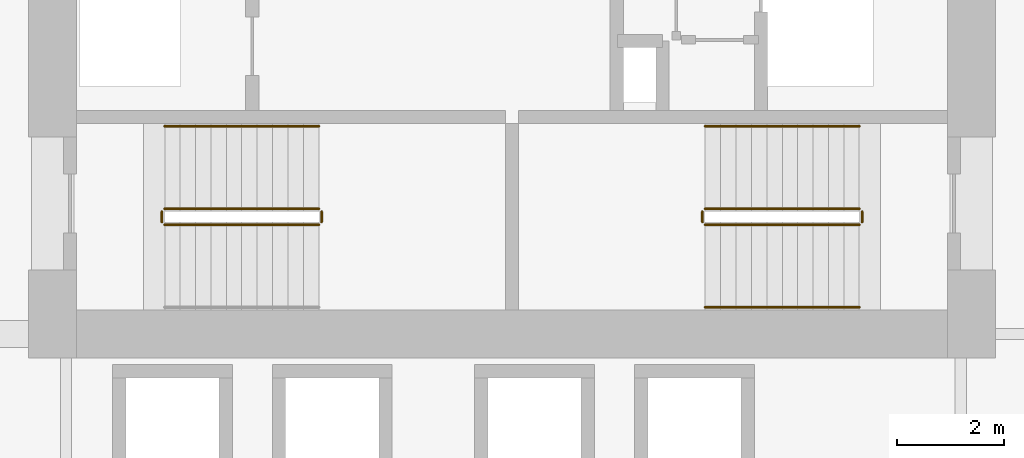
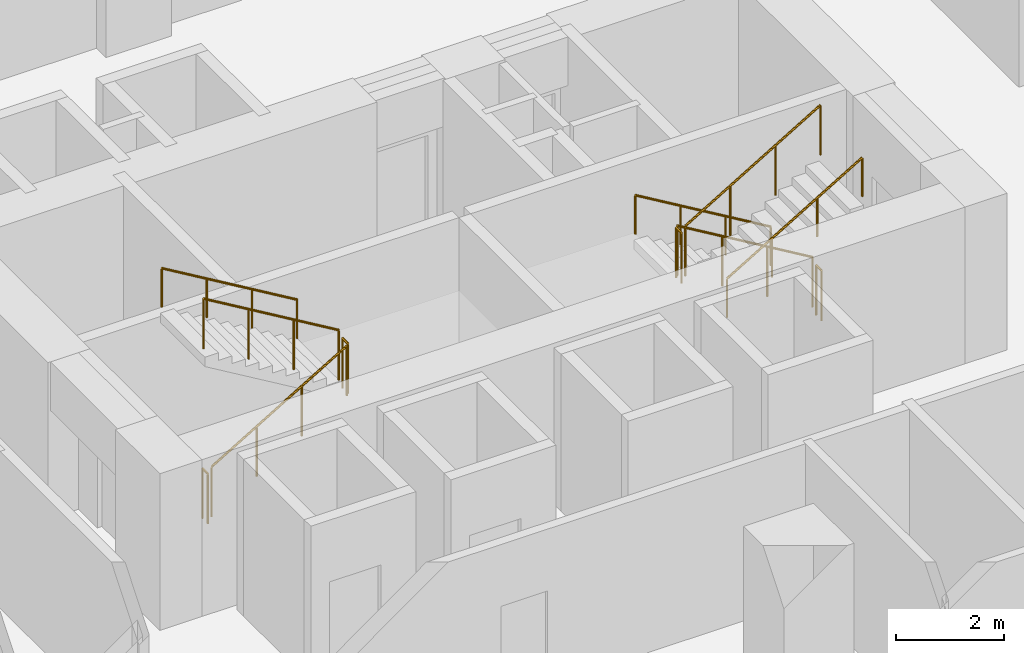
# One storey, part 18 of 20: 11 railings.
"""IFC4 building model written with IfcOpenShell, lengths in metres."""

import ifcopenshell
import ifcopenshell.guid

model = None  # the IFC model being written
_history = None  # IfcOwnerHistory: only IFC2X3 demands one
_inside = {}  # id of a spatial element -> (the spatial element, [elements in it])
_under = {}  # id of a project, library or spatial element -> (it, [spatial elements below it])
_declared = {}  # id of a project -> (the project, [libraries it declares])
_typed = {}  # id of a type object -> (the type object, [elements of that type])
_made_of = {}  # id of a material, layer set ... -> (it, [elements and type objects made of it])


def new_model(schema):
    """Start an empty IFC model of exactly this schema.

    Asked for "IFC4X3", IfcOpenShell would pick the latest addendum, in which some entities
    have other attributes; the version numbers below select the first issue.
    IFC2X3 requires an IfcOwnerHistory on every rooted entity: one is made here for all.
    """
    global model, _history
    if schema == "IFC4X3":
        model = ifcopenshell.file(schema_version=(4, 3, 0, 0))
    else:
        model = ifcopenshell.file(schema=schema)
    _inside.clear()
    _under.clear()
    _declared.clear()
    _typed.clear()
    _made_of.clear()
    _history = None
    if model.schema == "IFC2X3":
        org = make("IfcOrganization", Name="unknown")
        user = make(
            "IfcPersonAndOrganization",
            ThePerson=make("IfcPerson", FamilyName="unknown"),
            TheOrganization=org,
        )
        app = make(
            "IfcApplication",
            ApplicationDeveloper=org,
            Version="unknown",
            ApplicationFullName="unknown",
            ApplicationIdentifier="unknown",
        )
        _history = make(
            "IfcOwnerHistory",
            OwningUser=user,
            OwningApplication=app,
            ChangeAction="ADDED",
            CreationDate=0,
        )
    return model


def make(cls, **values):
    """One entity of the class cls with the attributes given. An attribute that is None is left unset."""
    return model.create_entity(
        cls, **{name: value for name, value in values.items() if value is not None}
    )


def rooted(cls, **values):
    """An entity with a GlobalId (a new one), such as an element, a storey or a relation."""
    return make(cls, GlobalId=ifcopenshell.guid.new(), OwnerHistory=_history, **values)


def si_unit(unit_type, name, prefix=None):
    """IfcSIUnit, for example si_unit("LENGTHUNIT", "METRE", prefix="MILLI")."""
    return make("IfcSIUnit", UnitType=unit_type, Prefix=prefix, Name=name)


def assignment(units):
    """IfcUnitAssignment: the units of a project."""
    return None if units is None else make("IfcUnitAssignment", Units=units)


def point(xyz):
    """IfcCartesianPoint."""
    return None if xyz is None else make("IfcCartesianPoint", Coordinates=xyz)


def direction(xyz):
    """IfcDirection."""
    return None if xyz is None else make("IfcDirection", DirectionRatios=xyz)


def frame(location, z_axis=None, x_axis=None):
    """IfcAxis2Placement3D, a coordinate frame: its origin and axes. An axis left out is left unset."""
    return make(
        "IfcAxis2Placement3D",
        Location=point(location),
        Axis=direction(z_axis),
        RefDirection=direction(x_axis),
    )


def frame_2d(location, x_axis=None):
    """IfcAxis2Placement2D, a coordinate frame in the plane: its origin and x axis."""
    return make(
        "IfcAxis2Placement2D", Location=point(location), RefDirection=direction(x_axis)
    )


def origin():
    """The frame at (0, 0, 0) with its axes left unset."""
    return frame((0.0, 0.0, 0.0))


def origin_2d():
    """The frame at (0, 0) in the plane with its x axis left unset."""
    return frame_2d((0.0, 0.0))


def place(relative_to, where):
    """IfcLocalPlacement: puts the frame where relative to a parent placement (None: the world)."""
    return make(
        "IfcLocalPlacement", PlacementRelTo=relative_to, RelativePlacement=where
    )


def context(
    kind, dimensions, precision=None, world=None, true_north=None, identifier=None
):
    """IfcGeometricRepresentationContext, for example the 3D "Model" context."""
    return make(
        "IfcGeometricRepresentationContext",
        ContextIdentifier=identifier,
        ContextType=kind,
        CoordinateSpaceDimension=dimensions,
        Precision=precision,
        WorldCoordinateSystem=world,
        TrueNorth=true_north,
    )


def subcontext(parent, identifier, kind, view, scale=None):
    """IfcGeometricRepresentationSubContext, for example "Body" below "Model"."""
    return make(
        "IfcGeometricRepresentationSubContext",
        ContextIdentifier=identifier,
        ContextType=kind,
        ParentContext=parent,
        TargetScale=scale,
        TargetView=view,
    )


def project(units=None, contexts=None):
    """IfcProject with its units and contexts."""
    return rooted(
        "IfcProject",
        Name="project",
        RepresentationContexts=contexts,
        UnitsInContext=assignment(units),
    )


def spatial(cls, under=None, at=None, **own):
    """A site, building, storey or space (cls), placed at a placement, below another one or the project."""
    s = rooted(cls, ObjectPlacement=at, **own)
    if under is not None:
        _under.setdefault(under.id(), (under, []))[1].append(s)
    return s


def profile(cls, at=None, kind="AREA", **sizes):
    """A parametric profile (cls). Its sizes go by their IFC names, for example OverallWidth=200.0."""
    return make(cls, ProfileType=kind, Position=at, **sizes)


def circle(**sizes):
    """IfcCircleProfileDef."""
    return profile("IfcCircleProfileDef", **sizes)


def extrude(swept, where, along, depth):
    """IfcExtrudedAreaSolid: the profile swept, set in the frame where, extruded along a direction by depth."""
    return make(
        "IfcExtrudedAreaSolid",
        SweptArea=swept,
        Position=where,
        ExtrudedDirection=direction(along),
        Depth=depth,
    )


def shape(context_of_items, identifier, shape_type, items):
    """IfcShapeRepresentation: the items that make up one representation, for example the "Body"."""
    return make(
        "IfcShapeRepresentation",
        ContextOfItems=context_of_items,
        RepresentationIdentifier=identifier,
        RepresentationType=shape_type,
        Items=items,
    )


def material(Name=None, Category=None):
    """IfcMaterial."""
    return make("IfcMaterial", Name=Name, Category=Category)


def made_of(thing, what):
    """Note that an element or type object is made of a material, layer set ...; save() writes the relation."""
    if what is not None:
        _made_of.setdefault(what.id(), (what, []))[1].append(thing)
    return thing


def type_object(cls, material=None, **own):
    """A type object (cls), such as IfcWallType, which elements share."""
    return made_of(rooted(cls, **own), material)


def element(
    cls,
    number,
    at=None,
    inside=None,
    cuts=None,
    type_object=None,
    material=None,
    context=None,
    identifier="Body",
    shape_type=None,
    held_by="IfcProductDefinitionShape",
    body=None,
    shapes=None,
    **own,
):
    """One element of the class cls, such as IfcWall. Its Tag is "e" and its number.

    at: its placement. inside: the storey or other place that contains it. cuts: it is an
    opening in that element (IfcRelVoidsElement). A single representation is given by context,
    identifier, shape_type and body (its items); several are given by shapes. held_by: the class
    of the entity that holds the representations. save() writes the other relations.
    """
    e = rooted(cls, Tag="e%d" % number, ObjectPlacement=at, **own)
    if body is not None:
        shapes = [shape(context, identifier, shape_type, body)]
    if shapes is not None:
        e.Representation = make(held_by, Representations=shapes)
    if inside is not None:
        _inside.setdefault(inside.id(), (inside, []))[1].append(e)
    if cuts is not None:
        rooted(
            "IfcRelVoidsElement", RelatingBuildingElement=cuts, RelatedOpeningElement=e
        )
    if type_object is not None:
        _typed.setdefault(type_object.id(), (type_object, []))[1].append(e)
    return made_of(e, material)


def aggregate(whole, parts):
    """IfcRelAggregates: a whole, such as a stair, and the parts it consists of."""
    return rooted("IfcRelAggregates", RelatingObject=whole, RelatedObjects=parts)


def save(model, path):
    """Write the relations noted so far, then the file.

    IfcRelAggregates (storeys below a building ...), IfcRelContainedInSpatialStructure (elements
    in a storey), IfcRelDefinesByType, IfcRelAssociatesMaterial and IfcRelDeclares: one each for
    every whole, place, type object, material and project.
    """
    for whole, parts in _under.values():
        aggregate(whole, parts)
    for where, things in _inside.values():
        rooted(
            "IfcRelContainedInSpatialStructure",
            RelatedElements=things,
            RelatingStructure=where,
        )
    for kind, things in _typed.values():
        rooted("IfcRelDefinesByType", RelatedObjects=things, RelatingType=kind)
    for what, things in _made_of.values():
        rooted("IfcRelAssociatesMaterial", RelatedObjects=things, RelatingMaterial=what)
    for by, libraries in _declared.values():
        rooted("IfcRelDeclares", RelatingContext=by, RelatedDefinitions=libraries)
    model.write(path)


model = new_model("IFC4")

# Units and contexts
model_context = context("Model", 3, precision=1e-05, world=origin(), true_north=direction((0.0, 1.0)))
body_context = subcontext(model_context, "Body", "Model", "MODEL_VIEW")
ifc_project = project(units=[si_unit("LENGTHUNIT", "METRE"), si_unit("AREAUNIT", "SQUARE_METRE"), si_unit("VOLUMEUNIT", "CUBIC_METRE"), si_unit("PLANEANGLEUNIT", "RADIAN"), si_unit("MASSUNIT", "GRAM", prefix="KILO")], contexts=[model_context])

# Site, building, storey
site_placement = place(None, origin())
site = spatial("IfcSite", under=ifc_project, at=site_placement, CompositionType="ELEMENT")
building_placement = place(site_placement, origin())
building = spatial("IfcBuilding", under=site, at=building_placement, Name="Koriwani Terraces Tower", CompositionType="ELEMENT")
storey_placement = place(building_placement, frame((0.0, 0.0, 73.800048828125)))
storey = spatial("IfcBuildingStorey", under=building, at=storey_placement, Name="L17", CompositionType="ELEMENT", Elevation=73.800048828125)

# Railings
ifc_material = material(Name="Steel ASTM A572 Grade 50", Category="steel")
railing_type_1 = type_object("IfcRailingType", Name="GUARD_STAIR_WELL_1120", PredefinedType="GUARDRAIL", material=ifc_material)
railing_1_placement = place(storey_placement, frame((43.85009765625, 18.85009765625, 0.172607421875)))
element("IfcRailing", 1, at=railing_1_placement, inside=storey, type_object=railing_type_1, Name="L17 ST-E1 stair guard 1", PredefinedType="GUARDRAIL", context=body_context, shape_type="SweptSolid", body=[
    extrude(circle(Radius=0.02392578125, at=origin_2d()), frame((0.0, 0.0, 1.1259765625), z_axis=(0.859141464434, 0.0, 0.511738159696), x_axis=(0.0, 1.0, 0.0)), (0.0, 0.0, 1.0), 3.375244140625),
    extrude(circle(Radius=0.02099609375, at=origin_2d()), origin(), (0.0, 0.0, 1.0), 1.101806640625),
    extrude(circle(Radius=0.02099609375, at=origin_2d()), frame((0.966552734375, 0.0, 0.57568359375)), (0.0, 0.0, 1.0), 1.101806640625),
    extrude(circle(Radius=0.02099609375, at=origin_2d()), frame((1.933349609375, 0.0, 1.151611328125)), (0.0, 0.0, 1.0), 1.101806640625),
    extrude(circle(Radius=0.02099609375, at=origin_2d()), frame((2.89990234375, 0.0, 1.727294921875)), (0.0, 0.0, 1.0), 1.101806640625),
])
railing_2_placement = place(storey_placement, frame((46.800048828125, 18.89990234375, 1.89990234375)))
element("IfcRailing", 2, at=railing_2_placement, inside=storey, type_object=railing_type_1, Name="L17 ST-E1 stair guard 2", PredefinedType="GUARDRAIL", context=body_context, shape_type="SweptSolid", body=[
    extrude(circle(Radius=0.02392578125, at=origin_2d()), frame((0.0, 0.0, 1.1259765625), z_axis=(0.0, 1.0, 0.0), x_axis=(-1.0, 0.0, 0.0)), (0.0, 0.0, 1.0), 0.2001953125),
    extrude(circle(Radius=0.02099609375, at=origin_2d()), origin(), (0.0, 0.0, 1.0), 1.101806640625),
    extrude(circle(Radius=0.02099609375, at=origin_2d()), frame((0.0, 0.2001953125, 0.0)), (0.0, 0.0, 1.0), 1.101806640625),
])
railing_3_placement = place(storey_placement, frame((46.75, 19.14990234375, 2.07275390625)))
element("IfcRailing", 3, at=railing_3_placement, inside=storey, type_object=railing_type_1, Name="L17 ST-E1 stair guard 3", PredefinedType="GUARDRAIL", context=body_context, shape_type="SweptSolid", body=[
    extrude(circle(Radius=0.02392578125, at=origin_2d()), frame((0.0, 0.0, 1.1259765625), z_axis=(-0.859141464434, 0.0, 0.511738159696), x_axis=(0.0, -1.0, 0.0)), (0.0, 0.0, 1.0), 3.375244140625),
    extrude(circle(Radius=0.02099609375, at=origin_2d()), origin(), (0.0, 0.0, 1.0), 1.101806640625),
    extrude(circle(Radius=0.02099609375, at=origin_2d()), frame((-0.966552734375, 0.0, 0.57568359375)), (0.0, 0.0, 1.0), 1.101806640625),
    extrude(circle(Radius=0.02099609375, at=origin_2d()), frame((-1.933349609375, 0.0, 1.151611328125)), (0.0, 0.0, 1.0), 1.101806640625),
    extrude(circle(Radius=0.02099609375, at=origin_2d()), frame((-2.89990234375, 0.0, 1.727294921875)), (0.0, 0.0, 1.0), 1.101806640625),
])
railing_4_placement = place(storey_placement, frame((43.800048828125, 18.89990234375, 0.0)))
element("IfcRailing", 4, at=railing_4_placement, inside=storey, type_object=railing_type_1, Name="L17 ST-E1 stair guard 4", PredefinedType="GUARDRAIL", context=body_context, shape_type="SweptSolid", body=[
    extrude(circle(Radius=0.02392578125, at=origin_2d()), frame((0.0, 0.0, 1.1259765625), z_axis=(0.0, 1.0, 0.0), x_axis=(-1.0, 0.0, 0.0)), (0.0, 0.0, 1.0), 0.2001953125),
    extrude(circle(Radius=0.02099609375, at=origin_2d()), origin(), (0.0, 0.0, 1.0), 1.101806640625),
    extrude(circle(Radius=0.02099609375, at=origin_2d()), frame((0.0, 0.2001953125, 0.0)), (0.0, 0.0, 1.0), 1.101806640625),
])
railing_5_placement = place(storey_placement, frame((56.89990234375, 19.14990234375, 0.172607421875)))
element("IfcRailing", 5, at=railing_5_placement, inside=storey, type_object=railing_type_1, Name="L17 ST-E2 stair guard 1", PredefinedType="GUARDRAIL", context=body_context, shape_type="SweptSolid", body=[
    extrude(circle(Radius=0.02392578125, at=origin_2d()), frame((0.0, 0.0, 1.1259765625), z_axis=(-0.859141464434, 0.0, 0.511738159696), x_axis=(0.0, -1.0, 0.0)), (0.0, 0.0, 1.0), 3.375244140625),
    extrude(circle(Radius=0.02099609375, at=origin_2d()), origin(), (0.0, 0.0, 1.0), 1.101806640625),
    extrude(circle(Radius=0.02099609375, at=origin_2d()), frame((-0.966552734375, 0.0, 0.57568359375)), (0.0, 0.0, 1.0), 1.101806640625),
    extrude(circle(Radius=0.02099609375, at=origin_2d()), frame((-1.933349609375, 0.0, 1.151611328125)), (0.0, 0.0, 1.0), 1.101806640625),
    extrude(circle(Radius=0.02099609375, at=origin_2d()), frame((-2.89990234375, 0.0, 1.727294921875)), (0.0, 0.0, 1.0), 1.101806640625),
])
railing_6_placement = place(storey_placement, frame((53.949951171875, 19.10009765625, 1.89990234375)))
element("IfcRailing", 6, at=railing_6_placement, inside=storey, type_object=railing_type_1, Name="L17 ST-E2 stair guard 2", PredefinedType="GUARDRAIL", context=body_context, shape_type="SweptSolid", body=[
    extrude(circle(Radius=0.02392578125, at=origin_2d()), frame((0.0, 0.0, 1.1259765625), z_axis=(0.0, -1.0, 0.0), x_axis=(1.0, 0.0, 0.0)), (0.0, 0.0, 1.0), 0.2001953125),
    extrude(circle(Radius=0.02099609375, at=origin_2d()), origin(), (0.0, 0.0, 1.0), 1.101806640625),
    extrude(circle(Radius=0.02099609375, at=origin_2d()), frame((0.0, -0.2001953125, 0.0)), (0.0, 0.0, 1.0), 1.101806640625),
])
railing_7_placement = place(storey_placement, frame((54.0, 18.85009765625, 2.07275390625)))
element("IfcRailing", 7, at=railing_7_placement, inside=storey, type_object=railing_type_1, Name="L17 ST-E2 stair guard 3", PredefinedType="GUARDRAIL", context=body_context, shape_type="SweptSolid", body=[
    extrude(circle(Radius=0.02392578125, at=origin_2d()), frame((0.0, 0.0, 1.1259765625), z_axis=(0.859141464434, 0.0, 0.511738159696), x_axis=(0.0, 1.0, 0.0)), (0.0, 0.0, 1.0), 3.375244140625),
    extrude(circle(Radius=0.02099609375, at=origin_2d()), origin(), (0.0, 0.0, 1.0), 1.101806640625),
    extrude(circle(Radius=0.02099609375, at=origin_2d()), frame((0.966552734375, 0.0, 0.57568359375)), (0.0, 0.0, 1.0), 1.101806640625),
    extrude(circle(Radius=0.02099609375, at=origin_2d()), frame((1.933349609375, 0.0, 1.151611328125)), (0.0, 0.0, 1.0), 1.101806640625),
    extrude(circle(Radius=0.02099609375, at=origin_2d()), frame((2.89990234375, 0.0, 1.727294921875)), (0.0, 0.0, 1.0), 1.101806640625),
])
railing_8_placement = place(storey_placement, frame((56.949951171875, 19.10009765625, 0.0)))
element("IfcRailing", 8, at=railing_8_placement, inside=storey, type_object=railing_type_1, Name="L17 ST-E2 stair guard 4", PredefinedType="GUARDRAIL", context=body_context, shape_type="SweptSolid", body=[
    extrude(circle(Radius=0.02392578125, at=origin_2d()), frame((0.0, 0.0, 1.1259765625), z_axis=(0.0, -1.0, 0.0), x_axis=(1.0, 0.0, 0.0)), (0.0, 0.0, 1.0), 0.2001953125),
    extrude(circle(Radius=0.02099609375, at=origin_2d()), origin(), (0.0, 0.0, 1.0), 1.101806640625),
    extrude(circle(Radius=0.02099609375, at=origin_2d()), frame((0.0, -0.2001953125, 0.0)), (0.0, 0.0, 1.0), 1.101806640625),
])
railing_type_2 = type_object("IfcRailingType", Name="HANDRAIL_STAIR_920", PredefinedType="HANDRAIL", material=ifc_material)
for number, where, name in (
    (9, (46.75, 20.699951171875, 2.07275390625), "L17 ST-E1 stair handrail 2"),
    (10, (56.89990234375, 20.699951171875, 0.172607421875), "L17 ST-E2 stair handrail 1"),
):
    element("IfcRailing", number, at=place(storey_placement, frame(where)), inside=storey, type_object=railing_type_2, Name=name, PredefinedType="HANDRAIL", context=body_context, shape_type="SweptSolid", body=[
        extrude(circle(Radius=0.02392578125, at=origin_2d()), frame((0.0, 0.0, 0.8759765625), z_axis=(-0.859141464434, 0.0, 0.511738159696), x_axis=(0.0, -1.0, 0.0)), (0.0, 0.0, 1.0), 3.375244140625),
        extrude(circle(Radius=0.02099609375, at=origin_2d()), origin(), (0.0, 0.0, 1.0), 0.851806640625),
        extrude(circle(Radius=0.02099609375, at=origin_2d()), frame((-0.966552734375, 0.0, 0.57568359375)), (0.0, 0.0, 1.0), 0.851806640625),
        extrude(circle(Radius=0.02099609375, at=origin_2d()), frame((-1.933349609375, 0.0, 1.151611328125)), (0.0, 0.0, 1.0), 0.851806640625),
        extrude(circle(Radius=0.02099609375, at=origin_2d()), frame((-2.89990234375, 0.0, 1.727294921875)), (0.0, 0.0, 1.0), 0.851806640625),
    ])
railing_9_placement = place(storey_placement, frame((54.0, 17.300048828125, 2.07275390625)))
element("IfcRailing", 11, at=railing_9_placement, inside=storey, type_object=railing_type_2, Name="L17 ST-E2 stair handrail 2", PredefinedType="HANDRAIL", context=body_context, shape_type="SweptSolid", body=[
    extrude(circle(Radius=0.02392578125, at=origin_2d()), frame((0.0, 0.0, 0.8759765625), z_axis=(0.859141464434, 0.0, 0.511738159696), x_axis=(0.0, 1.0, 0.0)), (0.0, 0.0, 1.0), 3.375244140625),
    extrude(circle(Radius=0.02099609375, at=origin_2d()), origin(), (0.0, 0.0, 1.0), 0.851806640625),
    extrude(circle(Radius=0.02099609375, at=origin_2d()), frame((0.966552734375, 0.0, 0.57568359375)), (0.0, 0.0, 1.0), 0.851806640625),
    extrude(circle(Radius=0.02099609375, at=origin_2d()), frame((1.933349609375, 0.0, 1.151611328125)), (0.0, 0.0, 1.0), 0.851806640625),
    extrude(circle(Radius=0.02099609375, at=origin_2d()), frame((2.89990234375, 0.0, 1.727294921875)), (0.0, 0.0, 1.0), 0.851806640625),
])

save(model, "model.ifc")
